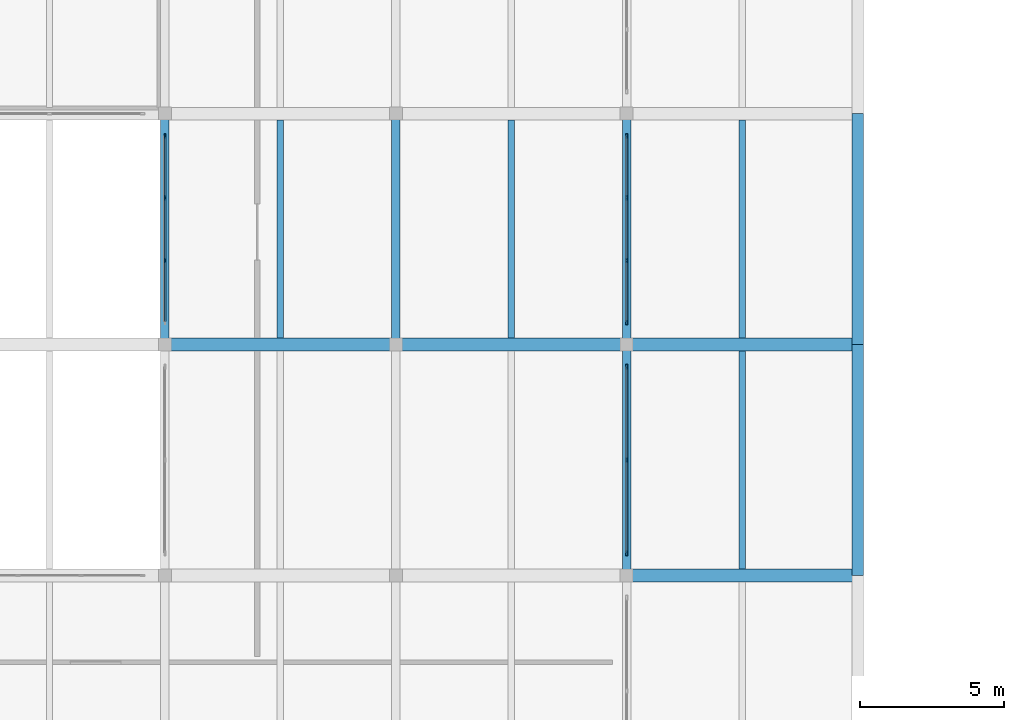
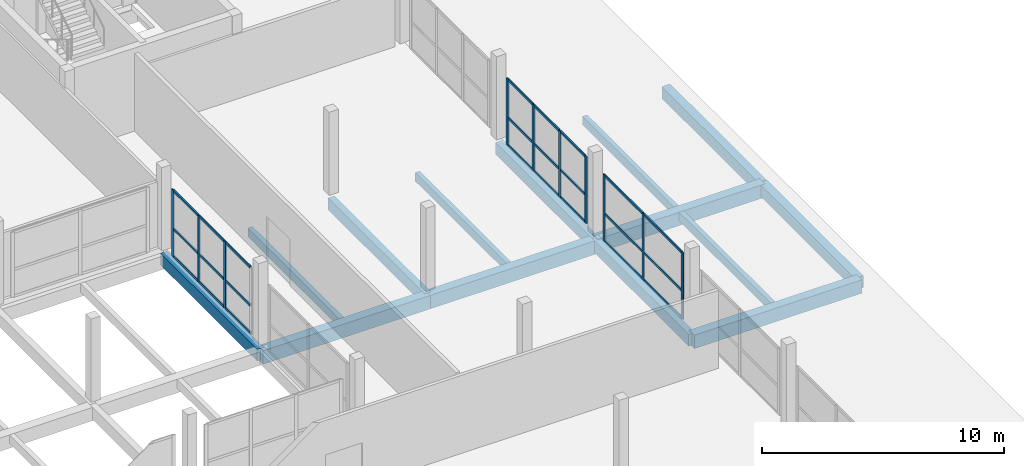
# One storey, part 10 of 53: 34 members, 14 beams, 3 elements without a shape of their own.
"""IFC4 building model written with IfcOpenShell, lengths in metres."""

from ifc_helpers import new_model, si_unit, direction, frame, origin, origin_2d, place, context, subcontext, project, spatial, rectangle, extrude, material, material_profile, profile_set, type_object, element, aggregate, save


model = new_model("IFC4")

# Units and contexts
model_context = context("Model", 3, precision=1e-05, world=origin(), true_north=direction((0.0, 1.0)))
body_context = subcontext(model_context, "Body", "Model", "MODEL_VIEW")
ifc_project = project(units=[si_unit("LENGTHUNIT", "METRE"), si_unit("AREAUNIT", "SQUARE_METRE"), si_unit("VOLUMEUNIT", "CUBIC_METRE"), si_unit("PLANEANGLEUNIT", "RADIAN"), si_unit("MASSUNIT", "GRAM", prefix="KILO")], contexts=[model_context])

# Site, building, storey
site_placement = place(None, origin())
site = spatial("IfcSite", under=ifc_project, at=site_placement, CompositionType="ELEMENT")
building_placement = place(site_placement, origin())
building = spatial("IfcBuilding", under=site, at=building_placement, Name="Vharandega Faculty of Natural Sciences", CompositionType="ELEMENT")
storey_placement = place(building_placement, frame((0.0, 0.0, 10.199951171875)))
storey = spatial("IfcBuildingStorey", under=building, at=storey_placement, Name="L02", CompositionType="ELEMENT", Elevation=10.199951171875)

# Curtain wall, members
ifc_material_1 = material(Name="Aluminium and solar-control glass curtain wall", Category="aluminium")
curtain_wall_type_1 = type_object("IfcCurtainWallType", Name="Unitised Curtain Wall System CW-24", PredefinedType="NOTDEFINED", material=ifc_material_1)
curtain_wall_1_placement = place(storey_placement, origin())
curtain_wall_1 = element("IfcCurtainWall", 1, at=curtain_wall_1_placement, inside=storey, type_object=curtain_wall_type_1, Name="Curtain Wall CW-L02-135", PredefinedType="NOTDEFINED")
ifc_material_2 = material(Name="Thermally broken aluminium 6063-T6", Category="aluminium")
ifc_material_profile_1 = material_profile(ifc_material_2, rectangle(XDim=0.06005859375, YDim=0.159912109375, at=origin_2d()), Name="ALU 60x160")
ifc_profile_set_1 = profile_set([ifc_material_profile_1], Name="Thermally broken aluminium 6063-T6")
member_type_1 = type_object("IfcMemberType", Name="CW Mullion 60x160", PredefinedType="MULLION", material=ifc_profile_set_1)
member_1_placement = place(storey_placement, frame((48.0, 16.77001953125, 0.0), z_axis=(0.0, 0.0, 1.0), x_axis=(-1.0, 0.0, 0.0)))
member_1 = element("IfcMember", 2, at=member_1_placement, type_object=member_type_1, Name="CW-24 mullion 1", PredefinedType="MULLION", context=body_context, shape_type="SweptSolid", body=[
    extrude(rectangle(XDim=0.06005859375, YDim=0.159912109375, at=origin_2d()), origin(), (0.0, 0.0, 1.0), 3.360107421875),
])
member_2_placement = place(storey_placement, frame((48.0, 20.0, 0.0), z_axis=(0.0, 0.0, 1.0), x_axis=(-1.0, 0.0, 0.0)))
member_2 = element("IfcMember", 3, at=member_2_placement, type_object=member_type_1, Name="CW-24 mullion 2", PredefinedType="MULLION", context=body_context, shape_type="SweptSolid", body=[
    extrude(rectangle(XDim=0.06005859375, YDim=0.159912109375, at=origin_2d()), origin(), (0.0, 0.0, 1.0), 3.360107421875),
])
member_3_placement = place(storey_placement, frame((48.0, 23.22998046875, 0.0), z_axis=(0.0, 0.0, 1.0), x_axis=(-1.0, 0.0, 0.0)))
member_3 = element("IfcMember", 4, at=member_3_placement, type_object=member_type_1, Name="CW-24 mullion 3", PredefinedType="MULLION", context=body_context, shape_type="SweptSolid", body=[
    extrude(rectangle(XDim=0.06005859375, YDim=0.159912109375, at=origin_2d()), origin(), (0.0, 0.0, 1.0), 3.360107421875),
])

ifc_material_3 = material(Name="Aluminium and solar-control glass curtain wall", Category="aluminium")
curtain_wall_type_2 = type_object("IfcCurtainWallType", Name="Unitised Curtain Wall System CW-25", PredefinedType="NOTDEFINED", material=ifc_material_3)
curtain_wall_2_placement = place(storey_placement, origin())
curtain_wall_2 = element("IfcCurtainWall", 5, at=curtain_wall_2_placement, inside=storey, type_object=curtain_wall_type_2, Name="Curtain Wall CW-L02-136", PredefinedType="NOTDEFINED")
member_4_placement = place(storey_placement, frame((48.0, 24.77001953125, 0.0), z_axis=(0.0, 0.0, 1.0), x_axis=(-1.0, 0.0, 0.0)))
member_4 = element("IfcMember", 6, at=member_4_placement, type_object=member_type_1, Name="CW-25 mullion 1", PredefinedType="MULLION", context=body_context, shape_type="SweptSolid", body=[
    extrude(rectangle(XDim=0.06005859375, YDim=0.159912109375, at=origin_2d()), origin(), (0.0, 0.0, 1.0), 3.360107421875),
])
member_5_placement = place(storey_placement, frame((48.0, 26.913330078125, 0.0), z_axis=(0.0, 0.0, 1.0), x_axis=(-1.0, 0.0, 0.0)))
member_5 = element("IfcMember", 7, at=member_5_placement, type_object=member_type_1, Name="CW-25 mullion 2", PredefinedType="MULLION", context=body_context, shape_type="SweptSolid", body=[
    extrude(rectangle(XDim=0.06005859375, YDim=0.159912109375, at=origin_2d()), origin(), (0.0, 0.0, 1.0), 3.360107421875),
])
member_6_placement = place(storey_placement, frame((48.0, 29.086669921875, 0.0), z_axis=(0.0, 0.0, 1.0), x_axis=(-1.0, 0.0, 0.0)))
member_6 = element("IfcMember", 8, at=member_6_placement, type_object=member_type_1, Name="CW-25 mullion 3", PredefinedType="MULLION", context=body_context, shape_type="SweptSolid", body=[
    extrude(rectangle(XDim=0.06005859375, YDim=0.159912109375, at=origin_2d()), origin(), (0.0, 0.0, 1.0), 3.360107421875),
])
member_7_placement = place(storey_placement, frame((48.0, 31.22998046875, 0.0), z_axis=(0.0, 0.0, 1.0), x_axis=(-1.0, 0.0, 0.0)))
member_7 = element("IfcMember", 9, at=member_7_placement, type_object=member_type_1, Name="CW-25 mullion 4", PredefinedType="MULLION", context=body_context, shape_type="SweptSolid", body=[
    extrude(rectangle(XDim=0.06005859375, YDim=0.159912109375, at=origin_2d()), origin(), (0.0, 0.0, 1.0), 3.360107421875),
])

ifc_material_4 = material(Name="Aluminium and solar-control glass curtain wall", Category="aluminium")
curtain_wall_type_3 = type_object("IfcCurtainWallType", Name="Unitised Curtain Wall System CW-11", PredefinedType="NOTDEFINED", material=ifc_material_4)
curtain_wall_3_placement = place(storey_placement, origin())
curtain_wall_3 = element("IfcCurtainWall", 10, at=curtain_wall_3_placement, inside=storey, type_object=curtain_wall_type_3, Name="Curtain Wall CW-L02-150", PredefinedType="NOTDEFINED")
member_8_placement = place(storey_placement, frame((32.0, 26.913330078125, 0.0), z_axis=(0.0, 0.0, 1.0), x_axis=(-1.0, 0.0, 0.0)))
member_8 = element("IfcMember", 11, at=member_8_placement, type_object=member_type_1, Name="CW-11 mullion 2", PredefinedType="MULLION", context=body_context, shape_type="SweptSolid", body=[
    extrude(rectangle(XDim=0.06005859375, YDim=0.159912109375, at=origin_2d()), origin(), (0.0, 0.0, 1.0), 3.360107421875),
])
member_9_placement = place(storey_placement, frame((32.0, 29.086669921875, 0.0), z_axis=(0.0, 0.0, 1.0), x_axis=(-1.0, 0.0, 0.0)))
member_9 = element("IfcMember", 12, at=member_9_placement, type_object=member_type_1, Name="CW-11 mullion 3", PredefinedType="MULLION", context=body_context, shape_type="SweptSolid", body=[
    extrude(rectangle(XDim=0.06005859375, YDim=0.159912109375, at=origin_2d()), origin(), (0.0, 0.0, 1.0), 3.360107421875),
])
member_10_placement = place(storey_placement, frame((32.0, 31.22998046875, 0.0), z_axis=(0.0, 0.0, 1.0), x_axis=(-1.0, 0.0, 0.0)))
member_10 = element("IfcMember", 13, at=member_10_placement, type_object=member_type_1, Name="CW-11 mullion 4", PredefinedType="MULLION", context=body_context, shape_type="SweptSolid", body=[
    extrude(rectangle(XDim=0.06005859375, YDim=0.159912109375, at=origin_2d()), origin(), (0.0, 0.0, 1.0), 3.360107421875),
])

# Member
ifc_material_5 = material(Name="Thermally broken aluminium 6063-T6", Category="aluminium")
ifc_material_profile_2 = material_profile(ifc_material_5, rectangle(XDim=0.06005859375, YDim=0.1201171875, at=origin_2d()), Name="ALU 60x120")
ifc_profile_set_2 = profile_set([ifc_material_profile_2], Name="Thermally broken aluminium 6063-T6")
member_type_2 = type_object("IfcMemberType", Name="CW Transom 60x120", PredefinedType="USERDEFINED", material=ifc_profile_set_2)
member_11_placement = place(storey_placement, frame((48.0, 16.800048828125, 0.030029296875), z_axis=(0.0, 1.0, 0.0), x_axis=(-1.0, 0.0, 0.0)))
member_11 = element("IfcMember", 14, at=member_11_placement, type_object=member_type_2, Name="CW-24 transom 1.1", ObjectType="TRANSOM", PredefinedType="USERDEFINED", context=body_context, shape_type="SweptSolid", body=[
    extrude(rectangle(XDim=0.06005859375, YDim=0.1201171875, at=origin_2d()), origin(), (0.0, 0.0, 1.0), 3.169921875),
])

member_12_placement = place(storey_placement, frame((48.0, 16.800048828125, 1.4111328125), z_axis=(0.0, 1.0, 0.0), x_axis=(-1.0, 0.0, 0.0)))
member_12 = element("IfcMember", 15, at=member_12_placement, type_object=member_type_2, Name="CW-24 transom 1.2", ObjectType="TRANSOM", PredefinedType="USERDEFINED", context=body_context, shape_type="SweptSolid", body=[
    extrude(rectangle(XDim=0.06005859375, YDim=0.1201171875, at=origin_2d()), origin(), (0.0, 0.0, 1.0), 3.169921875),
])

member_13_placement = place(storey_placement, frame((48.0, 16.800048828125, 3.330078125), z_axis=(0.0, 1.0, 0.0), x_axis=(-1.0, 0.0, 0.0)))
member_13 = element("IfcMember", 16, at=member_13_placement, type_object=member_type_2, Name="CW-24 transom 1.3", ObjectType="TRANSOM", PredefinedType="USERDEFINED", context=body_context, shape_type="SweptSolid", body=[
    extrude(rectangle(XDim=0.06005859375, YDim=0.1201171875, at=origin_2d()), origin(), (0.0, 0.0, 1.0), 3.169921875),
])

member_14_placement = place(storey_placement, frame((48.0, 20.030029296875, 0.030029296875), z_axis=(0.0, 1.0, 0.0), x_axis=(-1.0, 0.0, 0.0)))
member_14 = element("IfcMember", 17, at=member_14_placement, type_object=member_type_2, Name="CW-24 transom 2.1", ObjectType="TRANSOM", PredefinedType="USERDEFINED", context=body_context, shape_type="SweptSolid", body=[
    extrude(rectangle(XDim=0.06005859375, YDim=0.1201171875, at=origin_2d()), origin(), (0.0, 0.0, 1.0), 3.169921875),
])

member_15_placement = place(storey_placement, frame((48.0, 20.030029296875, 1.4111328125), z_axis=(0.0, 1.0, 0.0), x_axis=(-1.0, 0.0, 0.0)))
member_15 = element("IfcMember", 18, at=member_15_placement, type_object=member_type_2, Name="CW-24 transom 2.2", ObjectType="TRANSOM", PredefinedType="USERDEFINED", context=body_context, shape_type="SweptSolid", body=[
    extrude(rectangle(XDim=0.06005859375, YDim=0.1201171875, at=origin_2d()), origin(), (0.0, 0.0, 1.0), 3.169921875),
])

member_16_placement = place(storey_placement, frame((48.0, 20.030029296875, 3.330078125), z_axis=(0.0, 1.0, 0.0), x_axis=(-1.0, 0.0, 0.0)))
member_16 = element("IfcMember", 19, at=member_16_placement, type_object=member_type_2, Name="CW-24 transom 2.3", ObjectType="TRANSOM", PredefinedType="USERDEFINED", context=body_context, shape_type="SweptSolid", body=[
    extrude(rectangle(XDim=0.06005859375, YDim=0.1201171875, at=origin_2d()), origin(), (0.0, 0.0, 1.0), 3.169921875),
])

aggregate(curtain_wall_1, [member_1, member_2, member_3, member_11, member_12, member_13, member_14, member_15, member_16])

member_17_placement = place(storey_placement, frame((48.0, 24.800048828125, 0.030029296875), z_axis=(0.0, 1.0, 0.0), x_axis=(-1.0, 0.0, 0.0)))
member_17 = element("IfcMember", 20, at=member_17_placement, type_object=member_type_2, Name="CW-25 transom 1.1", ObjectType="TRANSOM", PredefinedType="USERDEFINED", context=body_context, shape_type="SweptSolid", body=[
    extrude(rectangle(XDim=0.06005859375, YDim=0.1201171875, at=origin_2d()), origin(), (0.0, 0.0, 1.0), 2.083251953125),
])

member_18_placement = place(storey_placement, frame((48.0, 24.800048828125, 1.4111328125), z_axis=(0.0, 1.0, 0.0), x_axis=(-1.0, 0.0, 0.0)))
member_18 = element("IfcMember", 21, at=member_18_placement, type_object=member_type_2, Name="CW-25 transom 1.2", ObjectType="TRANSOM", PredefinedType="USERDEFINED", context=body_context, shape_type="SweptSolid", body=[
    extrude(rectangle(XDim=0.06005859375, YDim=0.1201171875, at=origin_2d()), origin(), (0.0, 0.0, 1.0), 2.083251953125),
])

member_19_placement = place(storey_placement, frame((48.0, 24.800048828125, 3.330078125), z_axis=(0.0, 1.0, 0.0), x_axis=(-1.0, 0.0, 0.0)))
member_19 = element("IfcMember", 22, at=member_19_placement, type_object=member_type_2, Name="CW-25 transom 1.3", ObjectType="TRANSOM", PredefinedType="USERDEFINED", context=body_context, shape_type="SweptSolid", body=[
    extrude(rectangle(XDim=0.06005859375, YDim=0.1201171875, at=origin_2d()), origin(), (0.0, 0.0, 1.0), 2.083251953125),
])

member_20_placement = place(storey_placement, frame((48.0, 26.943359375, 0.030029296875), z_axis=(0.0, 1.0, 0.0), x_axis=(-1.0, 0.0, 0.0)))
member_20 = element("IfcMember", 23, at=member_20_placement, type_object=member_type_2, Name="CW-25 transom 2.1", ObjectType="TRANSOM", PredefinedType="USERDEFINED", context=body_context, shape_type="SweptSolid", body=[
    extrude(rectangle(XDim=0.06005859375, YDim=0.1201171875, at=origin_2d()), origin(), (0.0, 0.0, 1.0), 2.11328125),
])

member_21_placement = place(storey_placement, frame((48.0, 26.943359375, 1.4111328125), z_axis=(0.0, 1.0, 0.0), x_axis=(-1.0, 0.0, 0.0)))
member_21 = element("IfcMember", 24, at=member_21_placement, type_object=member_type_2, Name="CW-25 transom 2.2", ObjectType="TRANSOM", PredefinedType="USERDEFINED", context=body_context, shape_type="SweptSolid", body=[
    extrude(rectangle(XDim=0.06005859375, YDim=0.1201171875, at=origin_2d()), origin(), (0.0, 0.0, 1.0), 2.11328125),
])

member_22_placement = place(storey_placement, frame((48.0, 26.943359375, 3.330078125), z_axis=(0.0, 1.0, 0.0), x_axis=(-1.0, 0.0, 0.0)))
member_22 = element("IfcMember", 25, at=member_22_placement, type_object=member_type_2, Name="CW-25 transom 2.3", ObjectType="TRANSOM", PredefinedType="USERDEFINED", context=body_context, shape_type="SweptSolid", body=[
    extrude(rectangle(XDim=0.06005859375, YDim=0.1201171875, at=origin_2d()), origin(), (0.0, 0.0, 1.0), 2.11328125),
])

member_23_placement = place(storey_placement, frame((48.0, 29.11669921875, 0.030029296875), z_axis=(0.0, 1.0, 0.0), x_axis=(-1.0, 0.0, 0.0)))
member_23 = element("IfcMember", 26, at=member_23_placement, type_object=member_type_2, Name="CW-25 transom 3.1", ObjectType="TRANSOM", PredefinedType="USERDEFINED", context=body_context, shape_type="SweptSolid", body=[
    extrude(rectangle(XDim=0.06005859375, YDim=0.1201171875, at=origin_2d()), origin(), (0.0, 0.0, 1.0), 2.083251953125),
])

member_24_placement = place(storey_placement, frame((48.0, 29.11669921875, 1.4111328125), z_axis=(0.0, 1.0, 0.0), x_axis=(-1.0, 0.0, 0.0)))
member_24 = element("IfcMember", 27, at=member_24_placement, type_object=member_type_2, Name="CW-25 transom 3.2", ObjectType="TRANSOM", PredefinedType="USERDEFINED", context=body_context, shape_type="SweptSolid", body=[
    extrude(rectangle(XDim=0.06005859375, YDim=0.1201171875, at=origin_2d()), origin(), (0.0, 0.0, 1.0), 2.083251953125),
])

member_25_placement = place(storey_placement, frame((48.0, 29.11669921875, 3.330078125), z_axis=(0.0, 1.0, 0.0), x_axis=(-1.0, 0.0, 0.0)))
member_25 = element("IfcMember", 28, at=member_25_placement, type_object=member_type_2, Name="CW-25 transom 3.3", ObjectType="TRANSOM", PredefinedType="USERDEFINED", context=body_context, shape_type="SweptSolid", body=[
    extrude(rectangle(XDim=0.06005859375, YDim=0.1201171875, at=origin_2d()), origin(), (0.0, 0.0, 1.0), 2.083251953125),
])

aggregate(curtain_wall_2, [member_4, member_5, member_6, member_7, member_17, member_18, member_19, member_20, member_21, member_22, member_23, member_24, member_25])

member_26_placement = place(storey_placement, frame((32.0, 24.800048828125, 0.030029296875), z_axis=(0.0, 1.0, 0.0), x_axis=(-1.0, 0.0, 0.0)))
member_26 = element("IfcMember", 29, at=member_26_placement, type_object=member_type_2, Name="CW-11 transom 1.1", ObjectType="TRANSOM", PredefinedType="USERDEFINED", context=body_context, shape_type="SweptSolid", body=[
    extrude(rectangle(XDim=0.06005859375, YDim=0.1201171875, at=origin_2d()), origin(), (0.0, 0.0, 1.0), 2.083251953125),
])

member_27_placement = place(storey_placement, frame((32.0, 24.800048828125, 1.4111328125), z_axis=(0.0, 1.0, 0.0), x_axis=(-1.0, 0.0, 0.0)))
member_27 = element("IfcMember", 30, at=member_27_placement, type_object=member_type_2, Name="CW-11 transom 1.2", ObjectType="TRANSOM", PredefinedType="USERDEFINED", context=body_context, shape_type="SweptSolid", body=[
    extrude(rectangle(XDim=0.06005859375, YDim=0.1201171875, at=origin_2d()), origin(), (0.0, 0.0, 1.0), 2.083251953125),
])

member_28_placement = place(storey_placement, frame((32.0, 24.800048828125, 3.330078125), z_axis=(0.0, 1.0, 0.0), x_axis=(-1.0, 0.0, 0.0)))
member_28 = element("IfcMember", 31, at=member_28_placement, type_object=member_type_2, Name="CW-11 transom 1.3", ObjectType="TRANSOM", PredefinedType="USERDEFINED", context=body_context, shape_type="SweptSolid", body=[
    extrude(rectangle(XDim=0.06005859375, YDim=0.1201171875, at=origin_2d()), origin(), (0.0, 0.0, 1.0), 2.083251953125),
])

member_29_placement = place(storey_placement, frame((32.0, 26.943359375, 0.030029296875), z_axis=(0.0, 1.0, 0.0), x_axis=(-1.0, 0.0, 0.0)))
member_29 = element("IfcMember", 32, at=member_29_placement, type_object=member_type_2, Name="CW-11 transom 2.1", ObjectType="TRANSOM", PredefinedType="USERDEFINED", context=body_context, shape_type="SweptSolid", body=[
    extrude(rectangle(XDim=0.06005859375, YDim=0.1201171875, at=origin_2d()), origin(), (0.0, 0.0, 1.0), 2.11328125),
])

member_30_placement = place(storey_placement, frame((32.0, 26.943359375, 1.4111328125), z_axis=(0.0, 1.0, 0.0), x_axis=(-1.0, 0.0, 0.0)))
member_30 = element("IfcMember", 33, at=member_30_placement, type_object=member_type_2, Name="CW-11 transom 2.2", ObjectType="TRANSOM", PredefinedType="USERDEFINED", context=body_context, shape_type="SweptSolid", body=[
    extrude(rectangle(XDim=0.06005859375, YDim=0.1201171875, at=origin_2d()), origin(), (0.0, 0.0, 1.0), 2.11328125),
])

member_31_placement = place(storey_placement, frame((32.0, 26.943359375, 3.330078125), z_axis=(0.0, 1.0, 0.0), x_axis=(-1.0, 0.0, 0.0)))
member_31 = element("IfcMember", 34, at=member_31_placement, type_object=member_type_2, Name="CW-11 transom 2.3", ObjectType="TRANSOM", PredefinedType="USERDEFINED", context=body_context, shape_type="SweptSolid", body=[
    extrude(rectangle(XDim=0.06005859375, YDim=0.1201171875, at=origin_2d()), origin(), (0.0, 0.0, 1.0), 2.11328125),
])

member_32_placement = place(storey_placement, frame((32.0, 29.11669921875, 0.030029296875), z_axis=(0.0, 1.0, 0.0), x_axis=(-1.0, 0.0, 0.0)))
member_32 = element("IfcMember", 35, at=member_32_placement, type_object=member_type_2, Name="CW-11 transom 3.1", ObjectType="TRANSOM", PredefinedType="USERDEFINED", context=body_context, shape_type="SweptSolid", body=[
    extrude(rectangle(XDim=0.06005859375, YDim=0.1201171875, at=origin_2d()), origin(), (0.0, 0.0, 1.0), 2.083251953125),
])

member_33_placement = place(storey_placement, frame((32.0, 29.11669921875, 1.4111328125), z_axis=(0.0, 1.0, 0.0), x_axis=(-1.0, 0.0, 0.0)))
member_33 = element("IfcMember", 36, at=member_33_placement, type_object=member_type_2, Name="CW-11 transom 3.2", ObjectType="TRANSOM", PredefinedType="USERDEFINED", context=body_context, shape_type="SweptSolid", body=[
    extrude(rectangle(XDim=0.06005859375, YDim=0.1201171875, at=origin_2d()), origin(), (0.0, 0.0, 1.0), 2.083251953125),
])

member_34_placement = place(storey_placement, frame((32.0, 29.11669921875, 3.330078125), z_axis=(0.0, 1.0, 0.0), x_axis=(-1.0, 0.0, 0.0)))
member_34 = element("IfcMember", 37, at=member_34_placement, type_object=member_type_2, Name="CW-11 transom 3.3", ObjectType="TRANSOM", PredefinedType="USERDEFINED", context=body_context, shape_type="SweptSolid", body=[
    extrude(rectangle(XDim=0.06005859375, YDim=0.1201171875, at=origin_2d()), origin(), (0.0, 0.0, 1.0), 2.083251953125),
])

aggregate(curtain_wall_3, [member_8, member_9, member_10, member_26, member_27, member_28, member_29, member_30, member_31, member_32, member_33, member_34])

# Beams
ifc_material_6 = material(Name="Glulam GL28h", Category="wood")
ifc_material_profile_3 = material_profile(ifc_material_6, rectangle(XDim=0.300048828125, YDim=0.60009765625, at=origin_2d()), Name="GL28h 300x600")
ifc_profile_set_3 = profile_set([ifc_material_profile_3], Name="Glulam GL28h")
beam_type_1 = type_object("IfcBeamType", Name="Glulam Floor Beam 300x600", PredefinedType="BEAM", material=ifc_profile_set_3)
for number, where, z_axis, x_axis, name in (
    (38, (32.0, 24.0, -0.579833984375), (0.0, 1.0, 0.0), (-1.0, 0.0, 0.0), "Beam L02 5/D-E"),
    (39, (40.0, 24.0, -0.579833984375), (0.0, 1.0, 0.0), (-1.0, 0.0, 0.0), "Beam L02 6/D-E"),
    (40, (48.0, 16.0, -0.579833984375), (0.0, 1.0, 0.0), (-1.0, 0.0, 0.0), "Beam L02 7/C-D"),
    (41, (48.0, 24.0, -0.579833984375), (0.0, 1.0, 0.0), (-1.0, 0.0, 0.0), "Beam L02 7/D-E"),
):
    element("IfcBeam", number, at=place(storey_placement, frame(where, z_axis=z_axis, x_axis=x_axis)), inside=storey, type_object=beam_type_1, Name=name, PredefinedType="BEAM", context=body_context, shape_type="SweptSolid", body=[
        extrude(rectangle(XDim=0.300048828125, YDim=0.60009765625, at=origin_2d()), origin(), (0.0, 0.0, 1.0), 8.0),
    ])
ifc_material_7 = material(Name="Glulam GL32h", Category="wood")
ifc_material_profile_4 = material_profile(ifc_material_7, rectangle(XDim=0.43994140625, YDim=0.679931640625, at=origin_2d()), Name="GL32h 440x680")
ifc_profile_set_4 = profile_set([ifc_material_profile_4], Name="Glulam GL32h")
beam_type_2 = type_object("IfcBeamType", Name="Glulam Girder 440x680", PredefinedType="BEAM", material=ifc_profile_set_4)
for number, where, z_axis, x_axis, name in (
    (42, (48.0, 16.0, -0.579833984375), (1.0, 0.0, 0.0), (0.0, 1.0, 0.0), "Beam L02 C/7-8"),
    (43, (32.0, 24.0, -0.619873046875), (1.0, 0.0, 0.0), (0.0, 1.0, 0.0), "Beam L02 D/5-6"),
    (44, (40.0, 24.0, -0.619873046875), (1.0, 0.0, 0.0), (0.0, 1.0, 0.0), "Beam L02 D/6-7"),
    (45, (48.0, 24.0, -0.579833984375), (1.0, 0.0, 0.0), (0.0, 1.0, 0.0), "Beam L02 D/7-8"),
):
    element("IfcBeam", number, at=place(storey_placement, frame(where, z_axis=z_axis, x_axis=x_axis)), inside=storey, type_object=beam_type_2, Name=name, PredefinedType="BEAM", context=body_context, shape_type="SweptSolid", body=[
        extrude(rectangle(XDim=0.43994140625, YDim=0.679931640625, at=origin_2d()), origin(), (0.0, 0.0, 1.0), 8.0),
    ])
ifc_material_8 = material(Name="Glulam GL28h", Category="wood")
ifc_material_profile_5 = material_profile(ifc_material_8, rectangle(XDim=0.219970703125, YDim=0.43994140625, at=origin_2d()), Name="GL28h 220x440")
ifc_profile_set_5 = profile_set([ifc_material_profile_5], Name="Glulam GL28h")
beam_type_3 = type_object("IfcBeamType", Name="Glulam Secondary Joist 220x440", PredefinedType="JOIST", material=ifc_profile_set_5)
for number, where, z_axis, x_axis, name in (
    (46, (36.0, 24.219970703125, -0.5), (0.0, 1.0, 0.0), (-1.0, 0.0, 0.0), "Secondary Joist L02 5-6/D-E"),
    (47, (44.0, 24.219970703125, -0.5), (0.0, 1.0, 0.0), (-1.0, 0.0, 0.0), "Secondary Joist L02 6-7/D-E"),
    (48, (52.0, 16.219970703125, -0.4599609375), (0.0, 1.0, 0.0), (-1.0, 0.0, 0.0), "Secondary Joist L02 7-8/C-D"),
    (49, (52.0, 24.219970703125, -0.4599609375), (0.0, 1.0, 0.0), (-1.0, 0.0, 0.0), "Secondary Joist L02 7-8/D-E"),
):
    element("IfcBeam", number, at=place(storey_placement, frame(where, z_axis=z_axis, x_axis=x_axis)), inside=storey, type_object=beam_type_3, Name=name, PredefinedType="JOIST", context=body_context, shape_type="SweptSolid", body=[
        extrude(rectangle(XDim=0.219970703125, YDim=0.43994140625, at=origin_2d()), origin(), (0.0, 0.0, 1.0), 7.56005859375),
    ])
ifc_material_9 = material(Name="Glulam GL32h", Category="wood")
ifc_material_profile_6 = material_profile(ifc_material_9, rectangle(XDim=0.39990234375, YDim=0.60009765625, at=origin_2d()), Name="GL32h 400x600")
ifc_profile_set_6 = profile_set([ifc_material_profile_6], Name="Glulam GL32h")
beam_type_4 = type_object("IfcBeamType", Name="Glulam Spine Girder 400x600", PredefinedType="BEAM", material=ifc_profile_set_6)
for number, where, z_axis, x_axis, name in (
    (50, (56.0, 16.0, -0.5400390625), (0.0, 1.0, 0.0), (-1.0, 0.0, 0.0), "Beam L02 8/C-D"),
    (51, (56.0, 24.0, -0.5400390625), (0.0, 1.0, 0.0), (-1.0, 0.0, 0.0), "Beam L02 8/D-E"),
):
    element("IfcBeam", number, at=place(storey_placement, frame(where, z_axis=z_axis, x_axis=x_axis)), inside=storey, type_object=beam_type_4, Name=name, PredefinedType="BEAM", context=body_context, shape_type="SweptSolid", body=[
        extrude(rectangle(XDim=0.39990234375, YDim=0.60009765625, at=origin_2d()), origin(), (0.0, 0.0, 1.0), 8.0),
    ])

save(model, "model.ifc")
